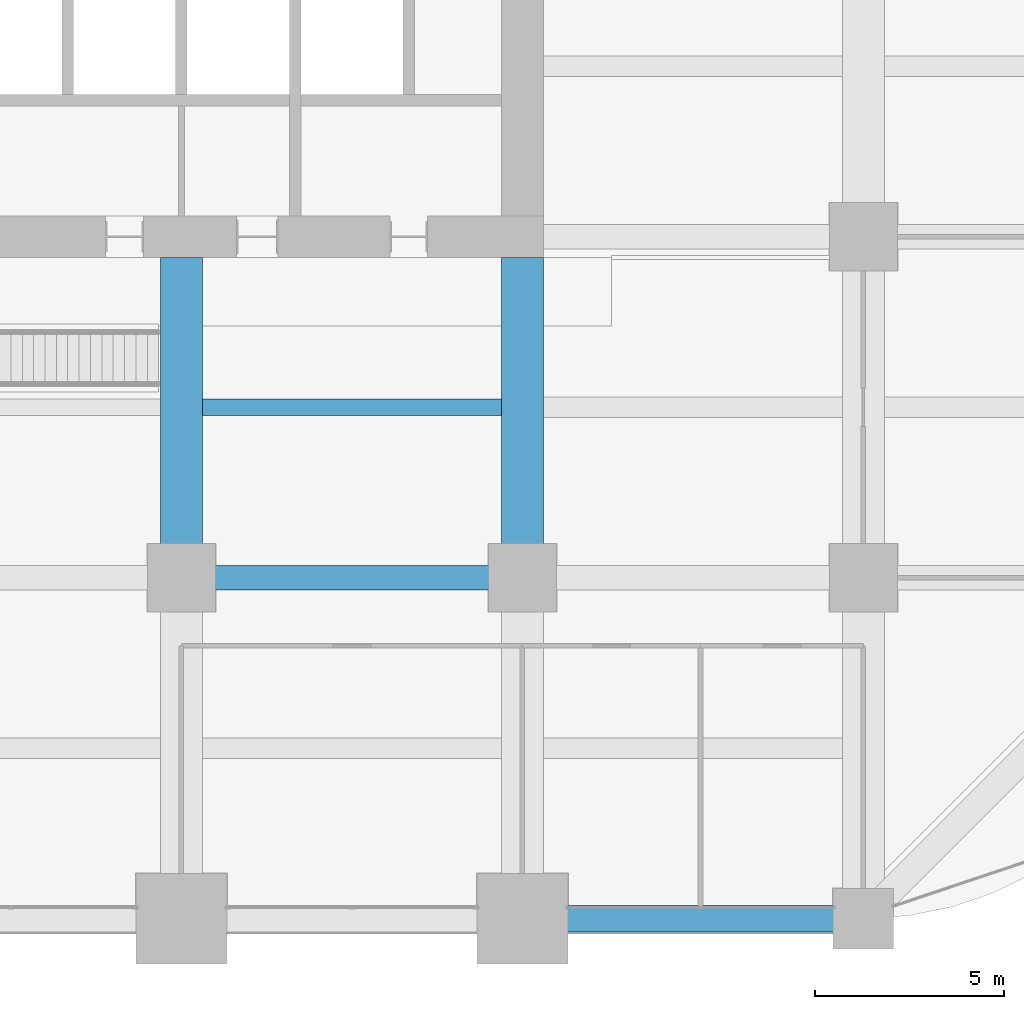
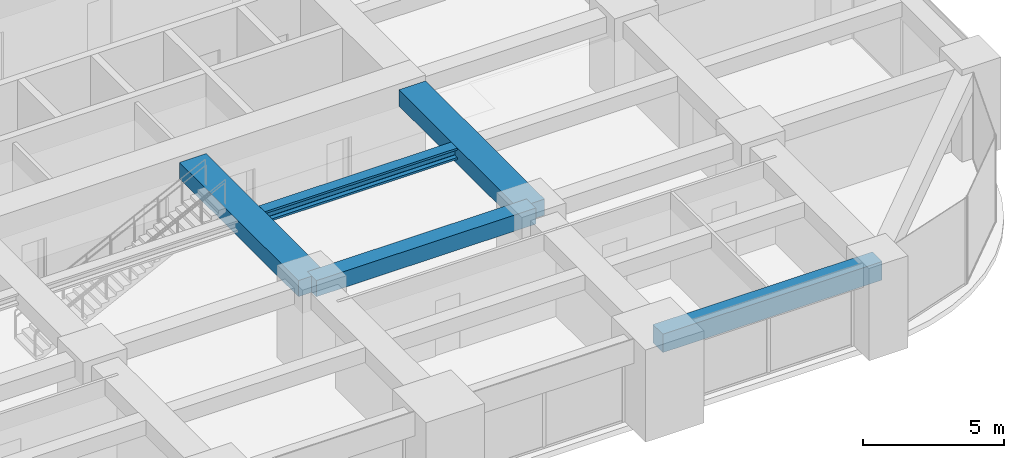
# One storey, part 15 of 41: 5 beams.
"""IFC4 building model written with IfcOpenShell, lengths in metres."""

from ifc_helpers import new_model, si_unit, direction, frame, origin, origin_2d, place, context, subcontext, project, spatial, rectangle, i_section, extrude, material, material_profile, profile_set, type_object, element, save


model = new_model("IFC4")

# Units and contexts
model_context = context("Model", 3, precision=1e-05, world=origin(), true_north=direction((0.0, 1.0)))
body_context = subcontext(model_context, "Body", "Model", "MODEL_VIEW")
ifc_project = project(units=[si_unit("LENGTHUNIT", "METRE"), si_unit("AREAUNIT", "SQUARE_METRE"), si_unit("VOLUMEUNIT", "CUBIC_METRE"), si_unit("PLANEANGLEUNIT", "RADIAN"), si_unit("MASSUNIT", "GRAM", prefix="KILO")], contexts=[model_context])

# Site, building, storey
site_placement = place(None, origin())
site = spatial("IfcSite", under=ifc_project, at=site_placement, CompositionType="ELEMENT")
building_placement = place(site_placement, origin())
building = spatial("IfcBuilding", under=site, at=building_placement, Name="Zorevar Civic Tower", CompositionType="ELEMENT")
storey_placement = place(building_placement, frame((0.0, 0.0, 137.0)))
storey = spatial("IfcBuildingStorey", under=building, at=storey_placement, Name="L33", CompositionType="ELEMENT", Elevation=137.0)

# Beams
ifc_material_1 = material(Name="Concrete C50/60", Category="concrete")
ifc_material_profile_1 = material_profile(ifc_material_1, rectangle(XDim=1.10009765625, YDim=0.699951171875, at=origin_2d()), Name="RC 1100x700")
ifc_profile_set_1 = profile_set([ifc_material_profile_1], Name="Concrete C50/60")
beam_type_1 = type_object("IfcBeamType", Name="Beam RC 1100x700", PredefinedType="BEAM", material=ifc_profile_set_1)
for number, where, z_axis, x_axis, name in (
    (1, (36.0, 9.0, 3.39990234375), (0.0, 1.0, 0.0), (-1.0, 0.0, 0.0), "Girder L34"),
    (2, (45.0, 9.0, 3.39990234375), (0.0, 1.0, 0.0), (-1.0, 0.0, 0.0), "Girder L34"),
):
    element("IfcBeam", number, at=place(storey_placement, frame(where, z_axis=z_axis, x_axis=x_axis)), inside=storey, type_object=beam_type_1, Name=name, PredefinedType="BEAM", context=body_context, shape_type="SweptSolid", body=[
        extrude(rectangle(XDim=1.10009765625, YDim=0.699951171875, at=origin_2d()), origin(), (0.0, 0.0, 1.0), 8.449951171875),
    ])
ifc_material_2 = material(Name="Concrete C50/60", Category="concrete")
ifc_material_profile_2 = material_profile(ifc_material_2, rectangle(XDim=0.64990234375, YDim=0.699951171875, at=origin_2d()), Name="RC 650x700")
ifc_profile_set_2 = profile_set([ifc_material_profile_2], Name="Concrete C50/60")
beam_type_2 = type_object("IfcBeamType", Name="Beam RC 650x700", PredefinedType="BEAM", material=ifc_profile_set_2)
beam_1_placement = place(storey_placement, frame((36.0, 9.0, 3.39990234375), z_axis=(1.0, 0.0, 0.0), x_axis=(0.0, 1.0, 0.0)))
element("IfcBeam", 3, at=beam_1_placement, inside=storey, type_object=beam_type_2, Name="Girder L34", PredefinedType="BEAM", context=body_context, shape_type="SweptSolid", body=[
    extrude(rectangle(XDim=0.64990234375, YDim=0.699951171875, at=origin_2d()), origin(), (0.0, 0.0, 1.0), 9.0),
])
ifc_material_3 = material(Name="Steel S460M (HISTAR 460)", Category="steel")
ifc_material_profile_3 = material_profile(ifc_material_3, i_section(OverallWidth=0.431884765625, OverallDepth=0.498046875, WebThickness=0.0556640625, FlangeThickness=0.0888671875, FilletRadius=0.014892578125, at=origin_2d()), Name="HD 400x744")
ifc_profile_set_3 = profile_set([ifc_material_profile_3], Name="Steel S460M (HISTAR 460)")
beam_type_3 = type_object("IfcBeamType", Name="Core bay beam HD 400x744", PredefinedType="BEAM", material=ifc_profile_set_3)
beam_2_placement = place(storey_placement, frame((36.550048828125, 13.5, 3.5009765625), z_axis=(1.0, 0.0, 0.0), x_axis=(0.0, 1.0, 0.0)))
element("IfcBeam", 4, at=beam_2_placement, inside=storey, type_object=beam_type_3, Name="Secondary beam L34", PredefinedType="BEAM", context=body_context, shape_type="SweptSolid", body=[
    extrude(i_section(OverallWidth=0.431884765625, OverallDepth=0.498046875, WebThickness=0.0556640625, FlangeThickness=0.0888671875, FilletRadius=0.014892578125, at=origin_2d()), origin(), (0.0, 0.0, 1.0), 7.89990234375),
])
ifc_material_4 = material(Name="Concrete C50/60", Category="concrete")
ifc_material_profile_4 = material_profile(ifc_material_4, rectangle(XDim=0.699951171875, YDim=0.800048828125, at=origin_2d()), Name="RC 700x800")
ifc_profile_set_4 = profile_set([ifc_material_profile_4], Name="Concrete C50/60")
beam_type_4 = type_object("IfcBeamType", Name="Edge beam RC 700x800", PredefinedType="SPANDREL", material=ifc_profile_set_4)
beam_3_placement = place(storey_placement, frame((45.0, 0.0, 3.35009765625), z_axis=(1.0, 0.0, 0.0), x_axis=(0.0, 1.0, 0.0)))
element("IfcBeam", 5, at=beam_3_placement, inside=storey, type_object=beam_type_4, Name="Edge beam L34", PredefinedType="SPANDREL", context=body_context, shape_type="SweptSolid", body=[
    extrude(rectangle(XDim=0.699951171875, YDim=0.800048828125, at=origin_2d()), origin(), (0.0, 0.0, 1.0), 9.0),
])

save(model, "model.ifc")
